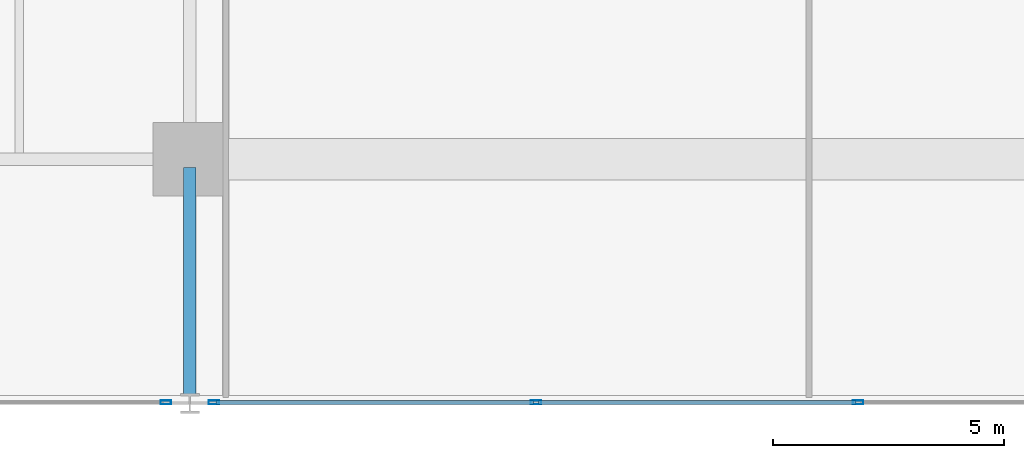
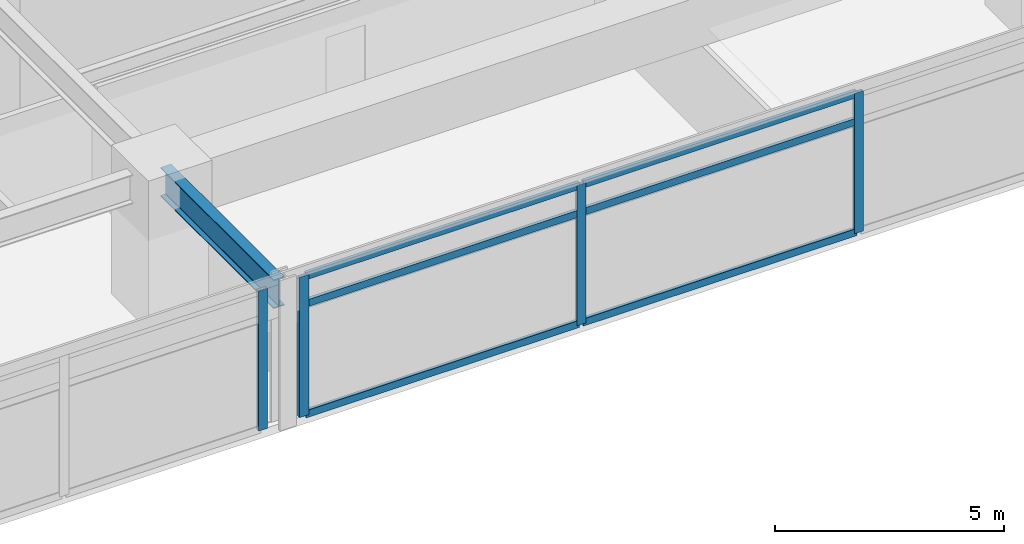
# One storey, part 4 of 20: 10 members, 1 beam, 2 elements without a shape of their own.
"""IFC4 building model written with IfcOpenShell, lengths in metres."""

from ifc_helpers import new_model, si_unit, direction, frame, origin, origin_2d, place, context, subcontext, project, spatial, hollow_rectangle, i_section, extrude, material, material_profile, profile_set, type_object, element, aggregate, save


model = new_model("IFC4")

# Units and contexts
model_context = context("Model", 3, precision=1e-05, world=origin(), true_north=direction((0.0, 1.0)))
body_context = subcontext(model_context, "Body", "Model", "MODEL_VIEW")
ifc_project = project(units=[si_unit("LENGTHUNIT", "METRE"), si_unit("AREAUNIT", "SQUARE_METRE"), si_unit("VOLUMEUNIT", "CUBIC_METRE"), si_unit("PLANEANGLEUNIT", "RADIAN"), si_unit("MASSUNIT", "GRAM", prefix="KILO")], contexts=[model_context])

# Site, building, storey
site_placement = place(None, origin())
site = spatial("IfcSite", under=ifc_project, at=site_placement, CompositionType="ELEMENT")
building_placement = place(site_placement, origin())
building = spatial("IfcBuilding", under=site, at=building_placement, Name="Kovane Verandah Tower", CompositionType="ELEMENT")
storey_placement = place(building_placement, frame((0.0, 0.0, 164.39990234375)))
storey = spatial("IfcBuildingStorey", under=building, at=storey_placement, Name="L38", CompositionType="ELEMENT", Elevation=164.39990234375)

# Beam
ifc_material_1 = material(Name="Steel S355", Category="steel")
ifc_material_profile_1 = material_profile(ifc_material_1, i_section(OverallWidth=0.26806640625, OverallDepth=0.769775390625, WebThickness=0.015625, FlangeThickness=0.025390625, FilletRadius=0.0166015625, at=origin_2d()), Name="UB762x267x197")
ifc_profile_set_1 = profile_set([ifc_material_profile_1], Name="Steel S355")
beam_type = type_object("IfcBeamType", Name="BM-UB762x197", PredefinedType="BEAM", material=ifc_profile_set_1)
beam_placement = place(storey_placement, frame((29.0, 10.6201171875, 3.375244140625), z_axis=(0.0, -1.0, 0.0), x_axis=(1.0, 0.0, 0.0)))
element("IfcBeam", 1, at=beam_placement, inside=storey, type_object=beam_type, Name="L38 Primary Tower Girder G-VS1", PredefinedType="BEAM", context=body_context, shape_type="SweptSolid", body=[
    extrude(i_section(OverallWidth=0.26806640625, OverallDepth=0.769775390625, WebThickness=0.015625, FlangeThickness=0.025390625, FilletRadius=0.0166015625, at=origin_2d()), origin(), (0.0, 0.0, 1.0), 4.940185546875),
])

# Curtain wall, member
ifc_material_2 = material(Name="Champagne Anodised Aluminium Frame with Low-E Clear Laminated Glass", Category="aluminium")
curtain_wall_type = type_object("IfcCurtainWallType", Name="CW-SYS-03-MID", PredefinedType="NOTDEFINED", material=ifc_material_2)
curtain_wall_1_placement = place(storey_placement, origin())
curtain_wall_1 = element("IfcCurtainWall", 2, at=curtain_wall_1_placement, inside=storey, type_object=curtain_wall_type, Name="L38 S Unitised Curtain Wall-1", PredefinedType="NOTDEFINED")
ifc_material_3 = material(Name="Champagne Anodised Aluminium 6063-T6", Category="aluminium")
ifc_material_profile_2 = material_profile(ifc_material_3, hollow_rectangle(XDim=0.0849609375, YDim=0.22998046875, WallThickness=0.00390625, at=origin_2d()), Name="AL85x230x4")
ifc_profile_set_2 = profile_set([ifc_material_profile_2], Name="Champagne Anodised Aluminium 6063-T6")
member_type_1 = type_object("IfcMemberType", Name="CW-MUL-85x230", PredefinedType="MULLION", material=ifc_profile_set_2)
member_1_placement = place(storey_placement, frame((28.47998046875, 5.52685546875, 0.02001953125), z_axis=(0.0, 0.0, 1.0), x_axis=(0.0, -1.0, 0.0)))
member_1 = element("IfcMember", 3, at=member_1_placement, type_object=member_type_1, Name="L38 S Unitised Curtain Wall-1 Mullion 3", PredefinedType="MULLION", context=body_context, shape_type="SweptSolid", body=[
    extrude(hollow_rectangle(XDim=0.0849609375, YDim=0.22998046875, WallThickness=0.00390625, at=origin_2d()), origin(), (0.0, 0.0, 1.0), 3.735107421875),
])
aggregate(curtain_wall_1, [member_1])

# Curtain wall, members
curtain_wall_2_placement = place(storey_placement, origin())
curtain_wall_2 = element("IfcCurtainWall", 4, at=curtain_wall_2_placement, inside=storey, type_object=curtain_wall_type, Name="L38 S Unitised Curtain Wall-2", PredefinedType="NOTDEFINED")
member_2_placement = place(storey_placement, frame((29.52001953125, 5.52685546875, 0.02001953125), z_axis=(0.0, 0.0, 1.0), x_axis=(0.0, -1.0, 0.0)))
member_2 = element("IfcMember", 5, at=member_2_placement, type_object=member_type_1, Name="L38 S Unitised Curtain Wall-2 Mullion 1", PredefinedType="MULLION", context=body_context, shape_type="SweptSolid", body=[
    extrude(hollow_rectangle(XDim=0.0849609375, YDim=0.22998046875, WallThickness=0.00390625, at=origin_2d()), origin(), (0.0, 0.0, 1.0), 3.735107421875),
])
member_3_placement = place(storey_placement, frame((36.506591796875, 5.52685546875, 0.02001953125), z_axis=(0.0, 0.0, 1.0), x_axis=(0.0, -1.0, 0.0)))
member_3 = element("IfcMember", 6, at=member_3_placement, type_object=member_type_1, Name="L38 S Unitised Curtain Wall-2 Mullion 2", PredefinedType="MULLION", context=body_context, shape_type="SweptSolid", body=[
    extrude(hollow_rectangle(XDim=0.0849609375, YDim=0.22998046875, WallThickness=0.00390625, at=origin_2d()), origin(), (0.0, 0.0, 1.0), 3.735107421875),
])
member_4_placement = place(storey_placement, frame((43.493408203125, 5.52685546875, 0.02001953125), z_axis=(0.0, 0.0, 1.0), x_axis=(0.0, -1.0, 0.0)))
member_4 = element("IfcMember", 7, at=member_4_placement, type_object=member_type_1, Name="L38 S Unitised Curtain Wall-2 Mullion 3", PredefinedType="MULLION", context=body_context, shape_type="SweptSolid", body=[
    extrude(hollow_rectangle(XDim=0.0849609375, YDim=0.22998046875, WallThickness=0.00390625, at=origin_2d()), origin(), (0.0, 0.0, 1.0), 3.735107421875),
])
ifc_material_profile_3 = material_profile(ifc_material_3, hollow_rectangle(XDim=0.0849609375, YDim=0.18994140625, WallThickness=0.00390625, at=origin_2d()), Name="AL85x190x4")
ifc_profile_set_3 = profile_set([ifc_material_profile_3], Name="Champagne Anodised Aluminium 6063-T6")
member_type_2 = type_object("IfcMemberType", Name="CW-TRN-85x190", PredefinedType="USERDEFINED", material=ifc_profile_set_3)
member_5_placement = place(storey_placement, frame((29.570068359375, 5.52685546875, 0.050048828125), z_axis=(1.0, 0.0, 0.0), x_axis=(0.0, 1.0, 0.0)))
member_5 = element("IfcMember", 8, at=member_5_placement, type_object=member_type_2, Name="L38 S Unitised Curtain Wall-2 Transom TB Bay 1", ObjectType="TRANSOM", PredefinedType="USERDEFINED", context=body_context, shape_type="SweptSolid", body=[
    extrude(hollow_rectangle(XDim=0.0849609375, YDim=0.18994140625, WallThickness=0.00390625, at=origin_2d()), origin(), (0.0, 0.0, 1.0), 6.88671875),
])
member_6_placement = place(storey_placement, frame((29.570068359375, 5.52685546875, 2.9951171875), z_axis=(1.0, 0.0, 0.0), x_axis=(0.0, 1.0, 0.0)))
member_6 = element("IfcMember", 9, at=member_6_placement, type_object=member_type_2, Name="L38 S Unitised Curtain Wall-2 Transom TM Bay 1", ObjectType="TRANSOM", PredefinedType="USERDEFINED", context=body_context, shape_type="SweptSolid", body=[
    extrude(hollow_rectangle(XDim=0.0849609375, YDim=0.18994140625, WallThickness=0.00390625, at=origin_2d()), origin(), (0.0, 0.0, 1.0), 6.88671875),
])
member_7_placement = place(storey_placement, frame((29.570068359375, 5.52685546875, 3.72509765625), z_axis=(1.0, 0.0, 0.0), x_axis=(0.0, 1.0, 0.0)))
member_7 = element("IfcMember", 10, at=member_7_placement, type_object=member_type_2, Name="L38 S Unitised Curtain Wall-2 Transom TT Bay 1", ObjectType="TRANSOM", PredefinedType="USERDEFINED", context=body_context, shape_type="SweptSolid", body=[
    extrude(hollow_rectangle(XDim=0.0849609375, YDim=0.18994140625, WallThickness=0.00390625, at=origin_2d()), origin(), (0.0, 0.0, 1.0), 6.88671875),
])
member_8_placement = place(storey_placement, frame((36.556640625, 5.52685546875, 0.050048828125), z_axis=(1.0, 0.0, 0.0), x_axis=(0.0, 1.0, 0.0)))
member_8 = element("IfcMember", 11, at=member_8_placement, type_object=member_type_2, Name="L38 S Unitised Curtain Wall-2 Transom TB Bay 2", ObjectType="TRANSOM", PredefinedType="USERDEFINED", context=body_context, shape_type="SweptSolid", body=[
    extrude(hollow_rectangle(XDim=0.0849609375, YDim=0.18994140625, WallThickness=0.00390625, at=origin_2d()), origin(), (0.0, 0.0, 1.0), 6.88671875),
])
member_9_placement = place(storey_placement, frame((36.556640625, 5.52685546875, 2.9951171875), z_axis=(1.0, 0.0, 0.0), x_axis=(0.0, 1.0, 0.0)))
member_9 = element("IfcMember", 12, at=member_9_placement, type_object=member_type_2, Name="L38 S Unitised Curtain Wall-2 Transom TM Bay 2", ObjectType="TRANSOM", PredefinedType="USERDEFINED", context=body_context, shape_type="SweptSolid", body=[
    extrude(hollow_rectangle(XDim=0.0849609375, YDim=0.18994140625, WallThickness=0.00390625, at=origin_2d()), origin(), (0.0, 0.0, 1.0), 6.88671875),
])
member_10_placement = place(storey_placement, frame((36.556640625, 5.52685546875, 3.72509765625), z_axis=(1.0, 0.0, 0.0), x_axis=(0.0, 1.0, 0.0)))
member_10 = element("IfcMember", 13, at=member_10_placement, type_object=member_type_2, Name="L38 S Unitised Curtain Wall-2 Transom TT Bay 2", ObjectType="TRANSOM", PredefinedType="USERDEFINED", context=body_context, shape_type="SweptSolid", body=[
    extrude(hollow_rectangle(XDim=0.0849609375, YDim=0.18994140625, WallThickness=0.00390625, at=origin_2d()), origin(), (0.0, 0.0, 1.0), 6.88671875),
])
aggregate(curtain_wall_2, [member_2, member_3, member_4, member_5, member_6, member_7, member_8, member_9, member_10])

save(model, "model.ifc")
